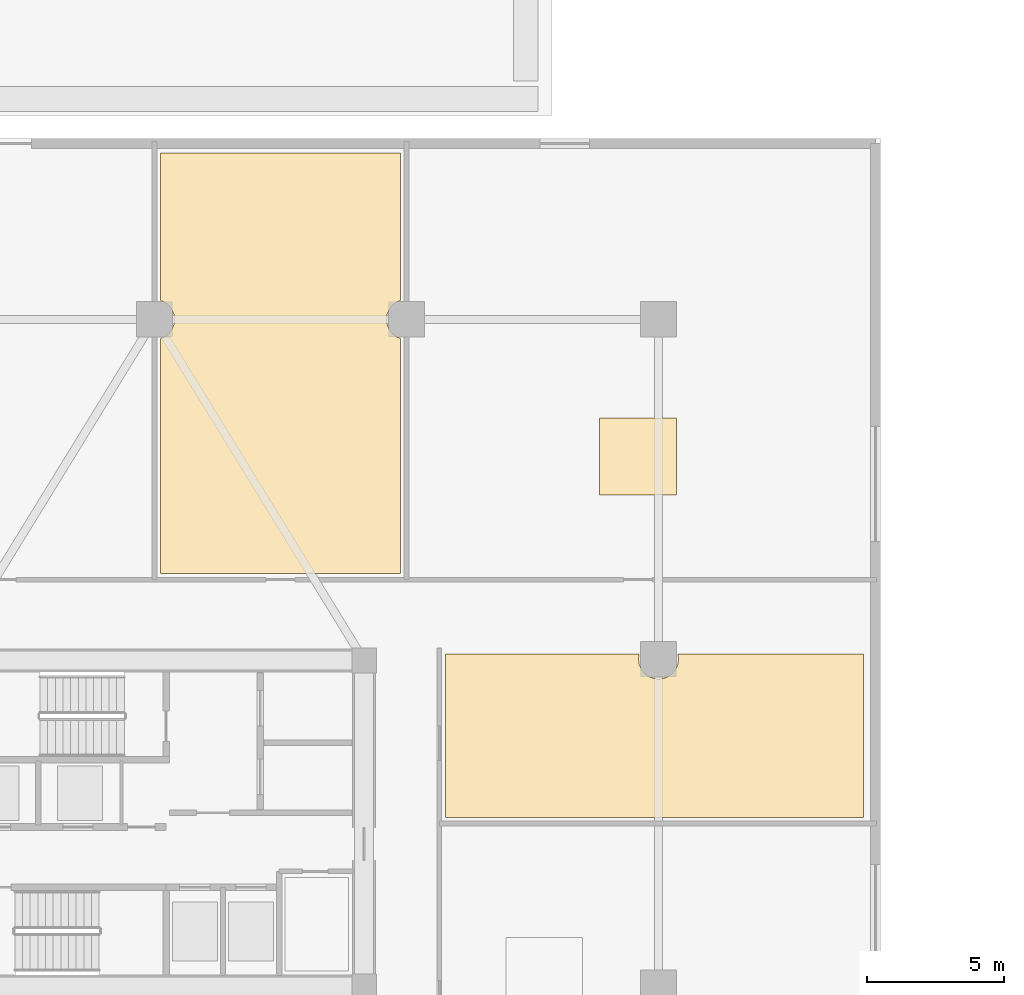
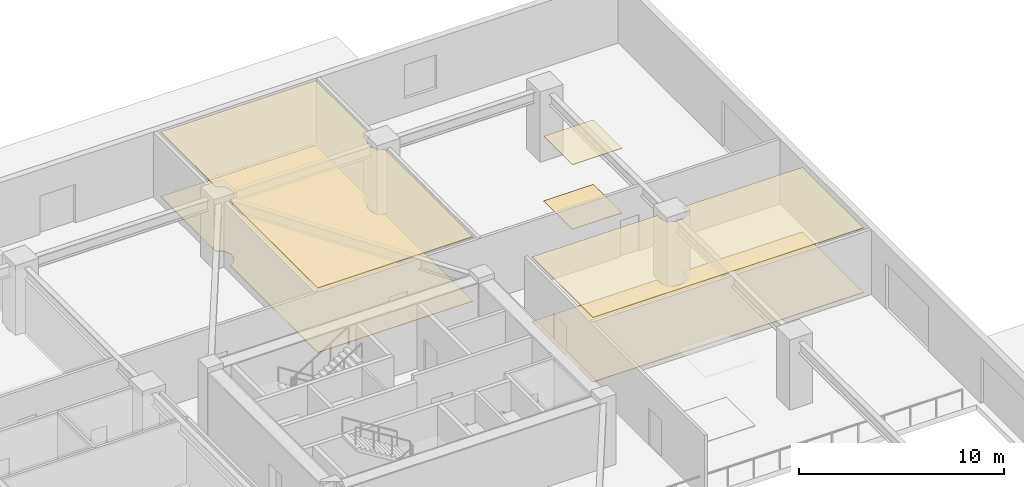
# One storey, part 20 of 22: 6 coverings.
"""IFC4 building model written with IfcOpenShell, lengths in metres."""

from ifc_helpers import new_model, si_unit, direction, frame, origin, place, context, subcontext, project, spatial, polyline, outline, extrude, material, layer, layer_set, type_object, element, save


model = new_model("IFC4")

# Units and contexts
model_context = context("Model", 3, precision=1e-05, world=origin(), true_north=direction((0.0, 1.0)))
body_context = subcontext(model_context, "Body", "Model", "MODEL_VIEW")
ifc_project = project(units=[si_unit("LENGTHUNIT", "METRE"), si_unit("AREAUNIT", "SQUARE_METRE"), si_unit("VOLUMEUNIT", "CUBIC_METRE"), si_unit("PLANEANGLEUNIT", "RADIAN"), si_unit("MASSUNIT", "GRAM", prefix="KILO")], contexts=[model_context])

# Site, building, storey
site_placement = place(None, origin())
site = spatial("IfcSite", under=ifc_project, at=site_placement, CompositionType="ELEMENT")
building_placement = place(site_placement, origin())
building = spatial("IfcBuilding", under=site, at=building_placement, Name="Norrkilde Senior Care Towers", CompositionType="ELEMENT")
storey_placement = place(building_placement, origin())
storey = spatial("IfcBuildingStorey", under=building, at=storey_placement, Name="L00", CompositionType="ELEMENT", Elevation=0.0)

# Coverings
ifc_material_1 = material(Name="Nordic Ash Timber", Category="wood")
ifc_layer_1 = layer(ifc_material_1, 0.044921875)
ifc_layer_set_1 = layer_set([ifc_layer_1], Name="Nordic Ash Timber")
covering_type_1 = type_object("IfcCoveringType", Name="Acoustic Ash Timber Slatted Ceiling 45", PredefinedType="CEILING", material=ifc_layer_set_1)
covering_1_placement = place(storey_placement, frame((0.0, 0.0, 3.8349609375)))
element("IfcCovering", 1, at=covering_1_placement, inside=storey, type_object=covering_type_1, Name="L00 Suspended Ceiling 0006", PredefinedType="CEILING", context=body_context, shape_type="SweptSolid", body=[
    extrude(outline(polyline([(53.8798828125, 0.219970703125), (38.6201171875, 0.219970703125), (38.6201171875, 6.179931640625), (45.693603515625, 6.179931640625), (45.669921875, 6.0), (45.69482421875, 5.81103515625), (45.767822265625, 5.635009765625), (45.8837890625, 5.48388671875), (46.034912109375, 5.367919921875), (46.211181640625, 5.294921875), (46.39990234375, 5.27001953125), (46.5888671875, 5.294921875), (46.764892578125, 5.367919921875), (46.916259765625, 5.48388671875), (47.0322265625, 5.635009765625), (47.105224609375, 5.81103515625), (47.1298828125, 6.0), (47.106201171875, 6.179931640625), (53.8798828125, 6.179931640625), (53.8798828125, 0.219970703125)])), origin(), (0.0, 0.0, 1.0), 0.044921875),
])
covering_2_placement = place(storey_placement, frame((0.0, 0.0, 3.8349609375)))
element("IfcCovering", 2, at=covering_2_placement, inside=storey, type_object=covering_type_1, Name="L00 Suspended Ceiling 0017", PredefinedType="CEILING", context=body_context, shape_type="SweptSolid", body=[
    extrude(outline(polyline([(28.219970703125, 9.1201171875), (28.219970703125, 17.707763671875), (28.364990234375, 17.767822265625), (28.51611328125, 17.8837890625), (28.632080078125, 18.034912109375), (28.705078125, 18.211181640625), (28.72998046875, 18.39990234375), (28.705078125, 18.5888671875), (28.632080078125, 18.764892578125), (28.51611328125, 18.916259765625), (28.364990234375, 19.0322265625), (28.219970703125, 19.09228515625), (28.219970703125, 24.47998046875), (36.97998046875, 24.47998046875), (36.97998046875, 19.09228515625), (36.8349609375, 19.0322265625), (36.683837890625, 18.916259765625), (36.56787109375, 18.764892578125), (36.494873046875, 18.5888671875), (36.469970703125, 18.39990234375), (36.494873046875, 18.211181640625), (36.56787109375, 18.034912109375), (36.683837890625, 17.8837890625), (36.8349609375, 17.767822265625), (36.97998046875, 17.707763671875), (36.97998046875, 9.1201171875), (28.219970703125, 9.1201171875)])), origin(), (0.0, 0.0, 1.0), 0.044921875),
])
ifc_material_2 = material(Name="Gypsum Acoustic Board")
ifc_layer_2 = layer(ifc_material_2, 0.030029296875)
ifc_layer_set_2 = layer_set([ifc_layer_2], Name="Gypsum Acoustic Board")
covering_type_2 = type_object("IfcCoveringType", Name="Medical Cleanable Gypsum Ceiling 30", PredefinedType="CEILING", material=ifc_layer_set_2)
covering_3_placement = place(storey_placement, frame((0.0, 0.0, 3.85009765625)))
element("IfcCovering", 3, at=covering_3_placement, inside=storey, type_object=covering_type_2, Name="L00 Suspended Ceiling 0018", PredefinedType="CEILING", context=body_context, shape_type="SweptSolid", body=[
    extrude(outline(polyline([(44.25, 11.9951171875), (44.25, 14.794921875), (47.050048828125, 14.794921875), (47.050048828125, 11.9951171875), (44.25, 11.9951171875)])), origin(), (0.0, 0.0, 1.0), 0.02978515625),
])
ifc_material_3 = material(Name="Slip-Resistant Porcelain Stone", Category="masonry")
ifc_layer_3 = layer(ifc_material_3, 0.02490234375)
ifc_layer_set_3 = layer_set([ifc_layer_3], Name="Slip-Resistant Porcelain Stone")
covering_type_3 = type_object("IfcCoveringType", Name="Slip-Resistant Porcelain Flooring 25", PredefinedType="FLOORING", material=ifc_layer_set_3)
covering_4_placement = place(storey_placement, origin())
element("IfcCovering", 4, at=covering_4_placement, inside=storey, type_object=covering_type_3, Name="L00 Floor Finish 0006", PredefinedType="FLOORING", context=body_context, shape_type="SweptSolid", body=[
    extrude(outline(polyline([(53.8798828125, 0.219970703125), (38.6201171875, 0.219970703125), (38.6201171875, 6.179931640625), (45.693603515625, 6.179931640625), (45.669921875, 6.0), (45.69482421875, 5.81103515625), (45.767822265625, 5.635009765625), (45.8837890625, 5.48388671875), (46.034912109375, 5.367919921875), (46.211181640625, 5.294921875), (46.39990234375, 5.27001953125), (46.5888671875, 5.294921875), (46.764892578125, 5.367919921875), (46.916259765625, 5.48388671875), (47.0322265625, 5.635009765625), (47.105224609375, 5.81103515625), (47.1298828125, 6.0), (47.106201171875, 6.179931640625), (53.8798828125, 6.179931640625), (53.8798828125, 0.219970703125)])), origin(), (0.0, 0.0, 1.0), 0.02490234375),
])
covering_5_placement = place(storey_placement, origin())
element("IfcCovering", 5, at=covering_5_placement, inside=storey, type_object=covering_type_3, Name="L00 Floor Finish 0017", PredefinedType="FLOORING", context=body_context, shape_type="SweptSolid", body=[
    extrude(outline(polyline([(28.219970703125, 9.1201171875), (28.219970703125, 17.707763671875), (28.364990234375, 17.767822265625), (28.51611328125, 17.8837890625), (28.632080078125, 18.034912109375), (28.705078125, 18.211181640625), (28.72998046875, 18.39990234375), (28.705078125, 18.5888671875), (28.632080078125, 18.764892578125), (28.51611328125, 18.916259765625), (28.364990234375, 19.0322265625), (28.219970703125, 19.09228515625), (28.219970703125, 24.47998046875), (36.97998046875, 24.47998046875), (36.97998046875, 19.09228515625), (36.8349609375, 19.0322265625), (36.683837890625, 18.916259765625), (36.56787109375, 18.764892578125), (36.494873046875, 18.5888671875), (36.469970703125, 18.39990234375), (36.494873046875, 18.211181640625), (36.56787109375, 18.034912109375), (36.683837890625, 17.8837890625), (36.8349609375, 17.767822265625), (36.97998046875, 17.707763671875), (36.97998046875, 9.1201171875), (28.219970703125, 9.1201171875)])), origin(), (0.0, 0.0, 1.0), 0.02490234375),
])
covering_6_placement = place(storey_placement, origin())
element("IfcCovering", 6, at=covering_6_placement, inside=storey, type_object=covering_type_3, Name="L00 Floor Finish 0018", PredefinedType="FLOORING", context=body_context, shape_type="SweptSolid", body=[
    extrude(outline(polyline([(44.25, 11.9951171875), (44.25, 14.794921875), (47.050048828125, 14.794921875), (47.050048828125, 11.9951171875), (44.25, 11.9951171875)])), origin(), (0.0, 0.0, 1.0), 0.02490234375),
])

save(model, "model.ifc")
